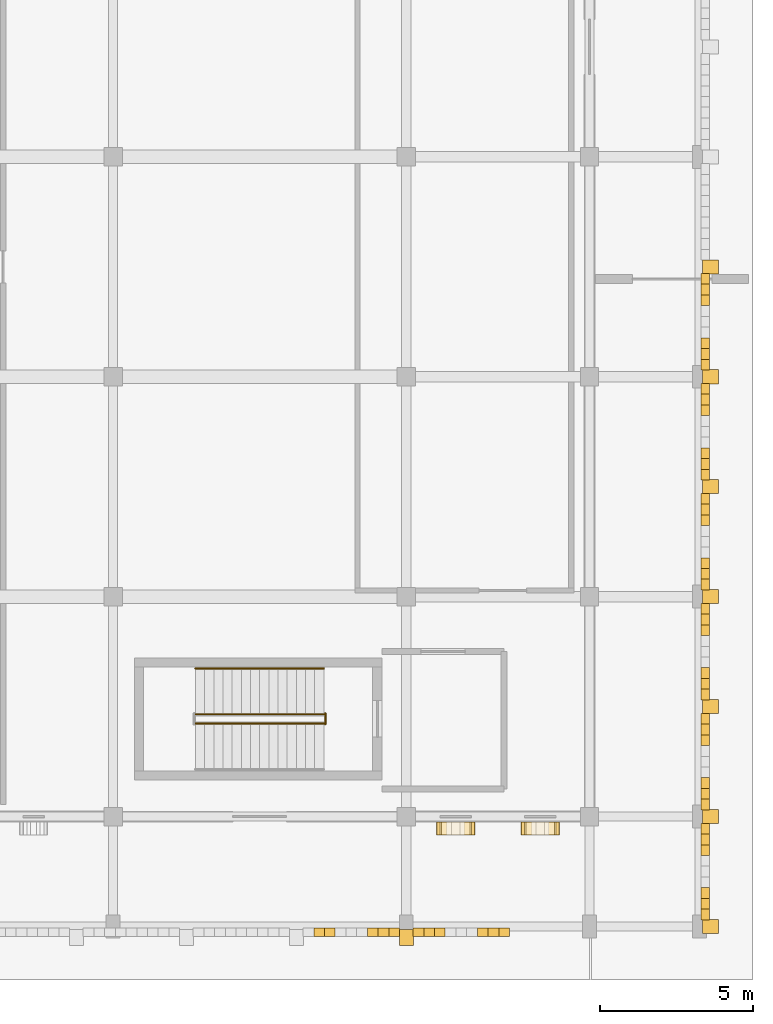
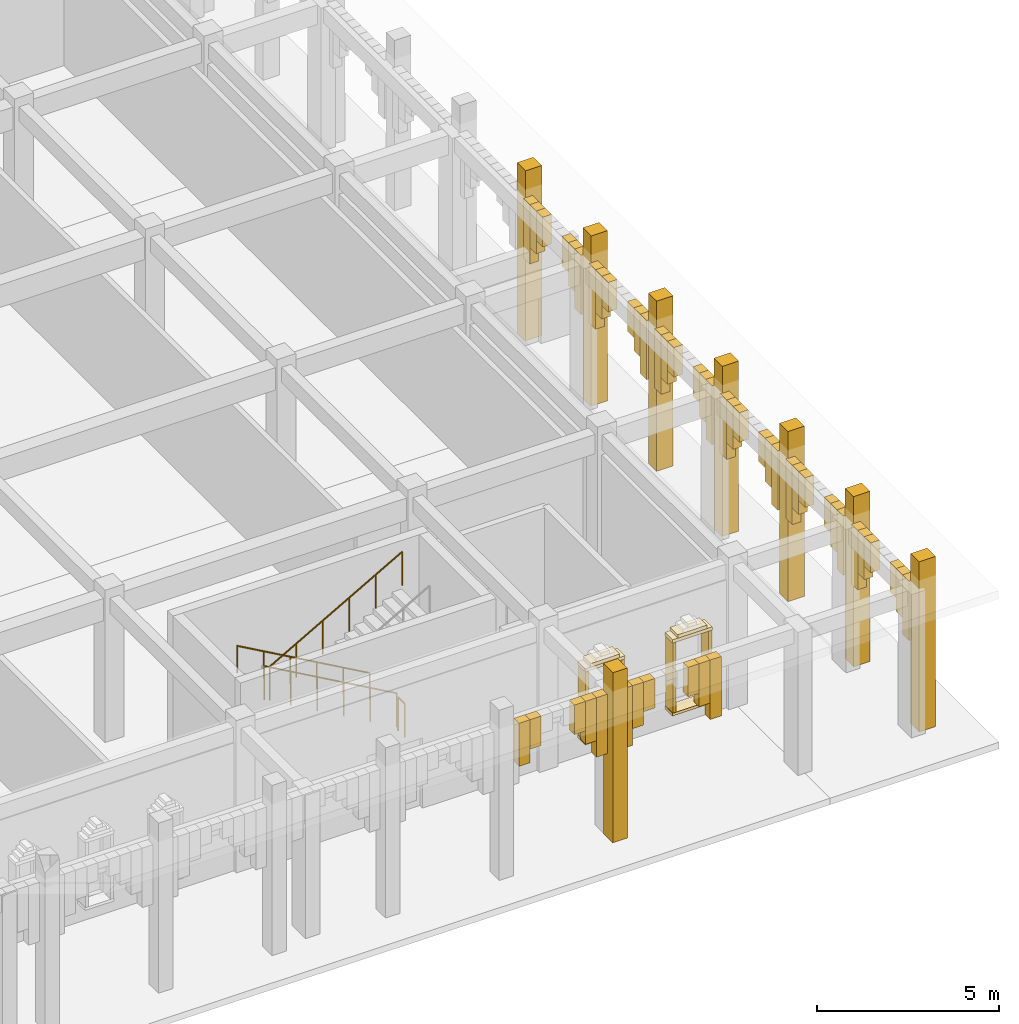
# One storey, part 59 of 72: 65 coverings, 4 railings.
"""IFC4 building model written with IfcOpenShell, lengths in metres."""

from ifc_helpers import new_model, si_unit, direction, frame, origin, origin_2d, place, context, subcontext, project, spatial, rectangle, circle, extrude, material, layer, layer_set, type_object, element, save


model = new_model("IFC4")

# Units and contexts
model_context = context("Model", 3, precision=1e-05, world=origin(), true_north=direction((0.0, 1.0)))
body_context = subcontext(model_context, "Body", "Model", "MODEL_VIEW")
ifc_project = project(units=[si_unit("LENGTHUNIT", "METRE"), si_unit("AREAUNIT", "SQUARE_METRE"), si_unit("VOLUMEUNIT", "CUBIC_METRE"), si_unit("PLANEANGLEUNIT", "RADIAN"), si_unit("MASSUNIT", "GRAM", prefix="KILO")], contexts=[model_context])

# Site, building, storey
site_placement = place(None, origin())
site = spatial("IfcSite", under=ifc_project, at=site_placement, CompositionType="ELEMENT")
building_placement = place(site_placement, origin())
building = spatial("IfcBuilding", under=site, at=building_placement, Name="Nzembalo Square Collegiate School", CompositionType="ELEMENT")
storey_placement = place(building_placement, origin())
storey = spatial("IfcBuildingStorey", under=building, at=storey_placement, Name="L00", CompositionType="ELEMENT", Elevation=0.0)

# Coverings
ifc_material_1 = material(Name="Precast concrete C40/50 arch voussoir", Category="concrete")
ifc_layer_1 = layer(ifc_material_1, 0.1201171875, Name="Precast concrete C40/50 arch voussoir")
ifc_layer_set_1 = layer_set([ifc_layer_1], Name="Precast concrete C40/50 arch voussoir")
covering_type_1 = type_object("IfcCoveringType", Name="AR01", PredefinedType="CLADDING", material=ifc_layer_set_1)
covering_1_placement = place(storey_placement, frame((156.74658203125, 4.6201171875, 3.361083984375), z_axis=(0.0, 0.0, 1.0), x_axis=(1.0, 0.0, 0.0)))
element("IfcCovering", 1, at=covering_1_placement, inside=storey, type_object=covering_type_1, Name="Gothic pointed arch voussoir AR01-074-1", PredefinedType="CLADDING", context=body_context, shape_type="SweptSolid", body=[
    extrude(rectangle(XDim=0.35107421875, YDim=0.280029296875, at=origin_2d()), origin(), (0.0, 0.0, 1.0), 1.43896484375),
])
for number, where, z_axis, x_axis, name in (
    (2, (157.09765625, 4.6201171875, 3.810546875), (0.0, 0.0, 1.0), (1.0, 0.0, 0.0), "Gothic pointed arch voussoir AR01-074-2"),
    (3, (158.502197265625, 4.6201171875, 3.810546875), (0.0, 0.0, 1.0), (1.0, 0.0, 0.0), "Gothic pointed arch voussoir AR01-074-6"),
):
    element("IfcCovering", number, at=place(storey_placement, frame(where, z_axis=z_axis, x_axis=x_axis)), inside=storey, type_object=covering_type_1, Name=name, PredefinedType="CLADDING", context=body_context, shape_type="SweptSolid", body=[
        extrude(rectangle(XDim=0.35107421875, YDim=0.280029296875, at=origin_2d()), origin(), (0.0, 0.0, 1.0), 0.989501953125),
    ])
covering_2_placement = place(storey_placement, frame((158.853271484375, 4.6201171875, 3.361328125), z_axis=(0.0, 0.0, 1.0), x_axis=(1.0, 0.0, 0.0)))
element("IfcCovering", 4, at=covering_2_placement, inside=storey, type_object=covering_type_1, Name="Gothic pointed arch voussoir AR01-074-7", PredefinedType="CLADDING", context=body_context, shape_type="SweptSolid", body=[
    extrude(rectangle(XDim=0.35107421875, YDim=0.280029296875, at=origin_2d()), origin(), (0.0, 0.0, 1.0), 1.438720703125),
])
covering_3_placement = place(storey_placement, frame((159.204345703125, 4.6201171875, 2.80859375), z_axis=(0.0, 0.0, 1.0), x_axis=(1.0, 0.0, 0.0)))
element("IfcCovering", 5, at=covering_3_placement, inside=storey, type_object=covering_type_1, Name="Gothic pointed arch voussoir AR01-074-8", PredefinedType="CLADDING", context=body_context, shape_type="SweptSolid", body=[
    extrude(rectangle(XDim=0.35107421875, YDim=0.280029296875, at=origin_2d()), origin(), (0.0, 0.0, 1.0), 1.991455078125),
])
covering_4_placement = place(storey_placement, frame((159.99560546875, 4.6201171875, 2.808349609375), z_axis=(0.0, 0.0, 1.0), x_axis=(1.0, 0.0, 0.0)))
element("IfcCovering", 6, at=covering_4_placement, inside=storey, type_object=covering_type_1, Name="Gothic pointed arch voussoir AR01-075-0", PredefinedType="CLADDING", context=body_context, shape_type="SweptSolid", body=[
    extrude(rectangle(XDim=0.35107421875, YDim=0.280029296875, at=origin_2d()), origin(), (0.0, 0.0, 1.0), 1.99169921875),
])
covering_5_placement = place(storey_placement, frame((160.3466796875, 4.6201171875, 3.361083984375), z_axis=(0.0, 0.0, 1.0), x_axis=(1.0, 0.0, 0.0)))
element("IfcCovering", 7, at=covering_5_placement, inside=storey, type_object=covering_type_1, Name="Gothic pointed arch voussoir AR01-075-1", PredefinedType="CLADDING", context=body_context, shape_type="SweptSolid", body=[
    extrude(rectangle(XDim=0.35107421875, YDim=0.280029296875, at=origin_2d()), origin(), (0.0, 0.0, 1.0), 1.43896484375),
])
for number, where, z_axis, x_axis, name in (
    (8, (160.69775390625, 4.6201171875, 3.810546875), (0.0, 0.0, 1.0), (1.0, 0.0, 0.0), "Gothic pointed arch voussoir AR01-075-2"),
    (9, (162.10205078125, 4.6201171875, 3.810546875), (0.0, 0.0, 1.0), (1.0, 0.0, 0.0), "Gothic pointed arch voussoir AR01-075-6"),
):
    element("IfcCovering", number, at=place(storey_placement, frame(where, z_axis=z_axis, x_axis=x_axis)), inside=storey, type_object=covering_type_1, Name=name, PredefinedType="CLADDING", context=body_context, shape_type="SweptSolid", body=[
        extrude(rectangle(XDim=0.35107421875, YDim=0.280029296875, at=origin_2d()), origin(), (0.0, 0.0, 1.0), 0.989501953125),
    ])
covering_6_placement = place(storey_placement, frame((162.453125, 4.6201171875, 3.361328125), z_axis=(0.0, 0.0, 1.0), x_axis=(1.0, 0.0, 0.0)))
element("IfcCovering", 10, at=covering_6_placement, inside=storey, type_object=covering_type_1, Name="Gothic pointed arch voussoir AR01-075-7", PredefinedType="CLADDING", context=body_context, shape_type="SweptSolid", body=[
    extrude(rectangle(XDim=0.35107421875, YDim=0.280029296875, at=origin_2d()), origin(), (0.0, 0.0, 1.0), 1.438720703125),
])
covering_7_placement = place(storey_placement, frame((162.80419921875, 4.6201171875, 2.80859375), z_axis=(0.0, 0.0, 1.0), x_axis=(1.0, 0.0, 0.0)))
element("IfcCovering", 11, at=covering_7_placement, inside=storey, type_object=covering_type_1, Name="Gothic pointed arch voussoir AR01-075-8", PredefinedType="CLADDING", context=body_context, shape_type="SweptSolid", body=[
    extrude(rectangle(XDim=0.35107421875, YDim=0.280029296875, at=origin_2d()), origin(), (0.0, 0.0, 1.0), 1.991455078125),
])
covering_8_placement = place(storey_placement, frame((159.60009765625, 4.43994140625, 0.0), z_axis=(0.0, 0.0, 1.0), x_axis=(1.0, 0.0, 0.0)))
element("IfcCovering", 12, at=covering_8_placement, inside=storey, type_object=covering_type_1, Name="Gothic arcade buttress pinnacle AR01-B075", PredefinedType="CLADDING", context=body_context, shape_type="SweptSolid", body=[
    extrude(rectangle(XDim=0.4599609375, YDim=0.52001953125, at=origin_2d()), origin(), (0.0, 0.0, 1.0), 5.699951171875),
])
covering_9_placement = place(storey_placement, frame((169.3798828125, 5.195556640625, 2.808349609375), z_axis=(0.0, 0.0, 1.0), x_axis=(1.0, 0.0, 0.0)))
element("IfcCovering", 13, at=covering_9_placement, inside=storey, type_object=covering_type_1, Name="Gothic pointed arch voussoir AR01-076-0", PredefinedType="CLADDING", context=body_context, shape_type="SweptSolid", body=[
    extrude(rectangle(XDim=0.280029296875, YDim=0.35107421875, at=origin_2d()), origin(), (0.0, 0.0, 1.0), 1.99169921875),
])
covering_10_placement = place(storey_placement, frame((169.3798828125, 5.546630859375, 3.361083984375), z_axis=(0.0, 0.0, 1.0), x_axis=(1.0, 0.0, 0.0)))
element("IfcCovering", 14, at=covering_10_placement, inside=storey, type_object=covering_type_1, Name="Gothic pointed arch voussoir AR01-076-1", PredefinedType="CLADDING", context=body_context, shape_type="SweptSolid", body=[
    extrude(rectangle(XDim=0.280029296875, YDim=0.35107421875, at=origin_2d()), origin(), (0.0, 0.0, 1.0), 1.43896484375),
])
for number, where, z_axis, x_axis, name in (
    (15, (169.3798828125, 5.897705078125, 3.810546875), (0.0, 0.0, 1.0), (1.0, 0.0, 0.0), "Gothic pointed arch voussoir AR01-076-2"),
    (16, (169.3798828125, 7.302001953125, 3.810546875), (0.0, 0.0, 1.0), (1.0, 0.0, 0.0), "Gothic pointed arch voussoir AR01-076-6"),
):
    element("IfcCovering", number, at=place(storey_placement, frame(where, z_axis=z_axis, x_axis=x_axis)), inside=storey, type_object=covering_type_1, Name=name, PredefinedType="CLADDING", context=body_context, shape_type="SweptSolid", body=[
        extrude(rectangle(XDim=0.280029296875, YDim=0.35107421875, at=origin_2d()), origin(), (0.0, 0.0, 1.0), 0.989501953125),
    ])
covering_11_placement = place(storey_placement, frame((169.3798828125, 7.6533203125, 3.361328125), z_axis=(0.0, 0.0, 1.0), x_axis=(1.0, 0.0, 0.0)))
element("IfcCovering", 17, at=covering_11_placement, inside=storey, type_object=covering_type_1, Name="Gothic pointed arch voussoir AR01-076-7", PredefinedType="CLADDING", context=body_context, shape_type="SweptSolid", body=[
    extrude(rectangle(XDim=0.280029296875, YDim=0.35107421875, at=origin_2d()), origin(), (0.0, 0.0, 1.0), 1.438720703125),
])
covering_12_placement = place(storey_placement, frame((169.3798828125, 8.00439453125, 2.80859375), z_axis=(0.0, 0.0, 1.0), x_axis=(1.0, 0.0, 0.0)))
element("IfcCovering", 18, at=covering_12_placement, inside=storey, type_object=covering_type_1, Name="Gothic pointed arch voussoir AR01-076-8", PredefinedType="CLADDING", context=body_context, shape_type="SweptSolid", body=[
    extrude(rectangle(XDim=0.280029296875, YDim=0.35107421875, at=origin_2d()), origin(), (0.0, 0.0, 1.0), 1.991455078125),
])
covering_13_placement = place(storey_placement, frame((169.56005859375, 4.800048828125, 0.0), z_axis=(0.0, 0.0, 1.0), x_axis=(1.0, 0.0, 0.0)))
element("IfcCovering", 19, at=covering_13_placement, inside=storey, type_object=covering_type_1, Name="Gothic arcade buttress pinnacle AR01-B076", PredefinedType="CLADDING", context=body_context, shape_type="SweptSolid", body=[
    extrude(rectangle(XDim=0.52001953125, YDim=0.4599609375, at=origin_2d()), origin(), (0.0, 0.0, 1.0), 5.699951171875),
])
covering_14_placement = place(storey_placement, frame((169.3798828125, 8.79541015625, 2.808349609375), z_axis=(0.0, 0.0, 1.0), x_axis=(1.0, 0.0, 0.0)))
element("IfcCovering", 20, at=covering_14_placement, inside=storey, type_object=covering_type_1, Name="Gothic pointed arch voussoir AR01-077-0", PredefinedType="CLADDING", context=body_context, shape_type="SweptSolid", body=[
    extrude(rectangle(XDim=0.280029296875, YDim=0.35107421875, at=origin_2d()), origin(), (0.0, 0.0, 1.0), 1.99169921875),
])
covering_15_placement = place(storey_placement, frame((169.3798828125, 9.146484375, 3.361083984375), z_axis=(0.0, 0.0, 1.0), x_axis=(1.0, 0.0, 0.0)))
element("IfcCovering", 21, at=covering_15_placement, inside=storey, type_object=covering_type_1, Name="Gothic pointed arch voussoir AR01-077-1", PredefinedType="CLADDING", context=body_context, shape_type="SweptSolid", body=[
    extrude(rectangle(XDim=0.280029296875, YDim=0.35107421875, at=origin_2d()), origin(), (0.0, 0.0, 1.0), 1.43896484375),
])
for number, where, z_axis, x_axis, name in (
    (22, (169.3798828125, 9.497802734375, 3.810546875), (0.0, 0.0, 1.0), (1.0, 0.0, 0.0), "Gothic pointed arch voussoir AR01-077-2"),
    (23, (169.3798828125, 10.902099609375, 3.810546875), (0.0, 0.0, 1.0), (1.0, 0.0, 0.0), "Gothic pointed arch voussoir AR01-077-6"),
):
    element("IfcCovering", number, at=place(storey_placement, frame(where, z_axis=z_axis, x_axis=x_axis)), inside=storey, type_object=covering_type_1, Name=name, PredefinedType="CLADDING", context=body_context, shape_type="SweptSolid", body=[
        extrude(rectangle(XDim=0.280029296875, YDim=0.35107421875, at=origin_2d()), origin(), (0.0, 0.0, 1.0), 0.989501953125),
    ])
covering_16_placement = place(storey_placement, frame((169.3798828125, 11.253173828125, 3.361328125), z_axis=(0.0, 0.0, 1.0), x_axis=(1.0, 0.0, 0.0)))
element("IfcCovering", 24, at=covering_16_placement, inside=storey, type_object=covering_type_1, Name="Gothic pointed arch voussoir AR01-077-7", PredefinedType="CLADDING", context=body_context, shape_type="SweptSolid", body=[
    extrude(rectangle(XDim=0.280029296875, YDim=0.35107421875, at=origin_2d()), origin(), (0.0, 0.0, 1.0), 1.438720703125),
])
covering_17_placement = place(storey_placement, frame((169.3798828125, 11.6044921875, 2.80859375), z_axis=(0.0, 0.0, 1.0), x_axis=(1.0, 0.0, 0.0)))
element("IfcCovering", 25, at=covering_17_placement, inside=storey, type_object=covering_type_1, Name="Gothic pointed arch voussoir AR01-077-8", PredefinedType="CLADDING", context=body_context, shape_type="SweptSolid", body=[
    extrude(rectangle(XDim=0.280029296875, YDim=0.35107421875, at=origin_2d()), origin(), (0.0, 0.0, 1.0), 1.991455078125),
])
covering_18_placement = place(storey_placement, frame((169.56005859375, 8.39990234375, 0.0), z_axis=(0.0, 0.0, 1.0), x_axis=(1.0, 0.0, 0.0)))
element("IfcCovering", 26, at=covering_18_placement, inside=storey, type_object=covering_type_1, Name="Gothic arcade buttress pinnacle AR01-B077", PredefinedType="CLADDING", context=body_context, shape_type="SweptSolid", body=[
    extrude(rectangle(XDim=0.52001953125, YDim=0.4599609375, at=origin_2d()), origin(), (0.0, 0.0, 1.0), 5.699951171875),
])
covering_19_placement = place(storey_placement, frame((169.3798828125, 12.3955078125, 2.808349609375), z_axis=(0.0, 0.0, 1.0), x_axis=(1.0, 0.0, 0.0)))
element("IfcCovering", 27, at=covering_19_placement, inside=storey, type_object=covering_type_1, Name="Gothic pointed arch voussoir AR01-078-0", PredefinedType="CLADDING", context=body_context, shape_type="SweptSolid", body=[
    extrude(rectangle(XDim=0.280029296875, YDim=0.35107421875, at=origin_2d()), origin(), (0.0, 0.0, 1.0), 1.99169921875),
])
covering_20_placement = place(storey_placement, frame((169.3798828125, 12.74658203125, 3.361083984375), z_axis=(0.0, 0.0, 1.0), x_axis=(1.0, 0.0, 0.0)))
element("IfcCovering", 28, at=covering_20_placement, inside=storey, type_object=covering_type_1, Name="Gothic pointed arch voussoir AR01-078-1", PredefinedType="CLADDING", context=body_context, shape_type="SweptSolid", body=[
    extrude(rectangle(XDim=0.280029296875, YDim=0.35107421875, at=origin_2d()), origin(), (0.0, 0.0, 1.0), 1.43896484375),
])
for number, where, z_axis, x_axis, name in (
    (29, (169.3798828125, 13.09765625, 3.810546875), (0.0, 0.0, 1.0), (1.0, 0.0, 0.0), "Gothic pointed arch voussoir AR01-078-2"),
    (30, (169.3798828125, 14.502197265625, 3.810546875), (0.0, 0.0, 1.0), (1.0, 0.0, 0.0), "Gothic pointed arch voussoir AR01-078-6"),
):
    element("IfcCovering", number, at=place(storey_placement, frame(where, z_axis=z_axis, x_axis=x_axis)), inside=storey, type_object=covering_type_1, Name=name, PredefinedType="CLADDING", context=body_context, shape_type="SweptSolid", body=[
        extrude(rectangle(XDim=0.280029296875, YDim=0.35107421875, at=origin_2d()), origin(), (0.0, 0.0, 1.0), 0.989501953125),
    ])
covering_21_placement = place(storey_placement, frame((169.3798828125, 14.853271484375, 3.361328125), z_axis=(0.0, 0.0, 1.0), x_axis=(1.0, 0.0, 0.0)))
element("IfcCovering", 31, at=covering_21_placement, inside=storey, type_object=covering_type_1, Name="Gothic pointed arch voussoir AR01-078-7", PredefinedType="CLADDING", context=body_context, shape_type="SweptSolid", body=[
    extrude(rectangle(XDim=0.280029296875, YDim=0.35107421875, at=origin_2d()), origin(), (0.0, 0.0, 1.0), 1.438720703125),
])
covering_22_placement = place(storey_placement, frame((169.3798828125, 15.204345703125, 2.80859375), z_axis=(0.0, 0.0, 1.0), x_axis=(1.0, 0.0, 0.0)))
element("IfcCovering", 32, at=covering_22_placement, inside=storey, type_object=covering_type_1, Name="Gothic pointed arch voussoir AR01-078-8", PredefinedType="CLADDING", context=body_context, shape_type="SweptSolid", body=[
    extrude(rectangle(XDim=0.280029296875, YDim=0.35107421875, at=origin_2d()), origin(), (0.0, 0.0, 1.0), 1.991455078125),
])
covering_23_placement = place(storey_placement, frame((169.56005859375, 12.0, 0.0), z_axis=(0.0, 0.0, 1.0), x_axis=(1.0, 0.0, 0.0)))
element("IfcCovering", 33, at=covering_23_placement, inside=storey, type_object=covering_type_1, Name="Gothic arcade buttress pinnacle AR01-B078", PredefinedType="CLADDING", context=body_context, shape_type="SweptSolid", body=[
    extrude(rectangle(XDim=0.52001953125, YDim=0.4599609375, at=origin_2d()), origin(), (0.0, 0.0, 1.0), 5.699951171875),
])
covering_24_placement = place(storey_placement, frame((169.3798828125, 15.99560546875, 2.808349609375), z_axis=(0.0, 0.0, 1.0), x_axis=(1.0, 0.0, 0.0)))
element("IfcCovering", 34, at=covering_24_placement, inside=storey, type_object=covering_type_1, Name="Gothic pointed arch voussoir AR01-079-0", PredefinedType="CLADDING", context=body_context, shape_type="SweptSolid", body=[
    extrude(rectangle(XDim=0.280029296875, YDim=0.35107421875, at=origin_2d()), origin(), (0.0, 0.0, 1.0), 1.99169921875),
])
covering_25_placement = place(storey_placement, frame((169.3798828125, 16.3466796875, 3.361083984375), z_axis=(0.0, 0.0, 1.0), x_axis=(1.0, 0.0, 0.0)))
element("IfcCovering", 35, at=covering_25_placement, inside=storey, type_object=covering_type_1, Name="Gothic pointed arch voussoir AR01-079-1", PredefinedType="CLADDING", context=body_context, shape_type="SweptSolid", body=[
    extrude(rectangle(XDim=0.280029296875, YDim=0.35107421875, at=origin_2d()), origin(), (0.0, 0.0, 1.0), 1.43896484375),
])
for number, where, z_axis, x_axis, name in (
    (36, (169.3798828125, 16.69775390625, 3.810546875), (0.0, 0.0, 1.0), (1.0, 0.0, 0.0), "Gothic pointed arch voussoir AR01-079-2"),
    (37, (169.3798828125, 18.10205078125, 3.810546875), (0.0, 0.0, 1.0), (1.0, 0.0, 0.0), "Gothic pointed arch voussoir AR01-079-6"),
):
    element("IfcCovering", number, at=place(storey_placement, frame(where, z_axis=z_axis, x_axis=x_axis)), inside=storey, type_object=covering_type_1, Name=name, PredefinedType="CLADDING", context=body_context, shape_type="SweptSolid", body=[
        extrude(rectangle(XDim=0.280029296875, YDim=0.35107421875, at=origin_2d()), origin(), (0.0, 0.0, 1.0), 0.989501953125),
    ])
covering_26_placement = place(storey_placement, frame((169.3798828125, 18.453125, 3.361328125), z_axis=(0.0, 0.0, 1.0), x_axis=(1.0, 0.0, 0.0)))
element("IfcCovering", 38, at=covering_26_placement, inside=storey, type_object=covering_type_1, Name="Gothic pointed arch voussoir AR01-079-7", PredefinedType="CLADDING", context=body_context, shape_type="SweptSolid", body=[
    extrude(rectangle(XDim=0.280029296875, YDim=0.35107421875, at=origin_2d()), origin(), (0.0, 0.0, 1.0), 1.438720703125),
])
covering_27_placement = place(storey_placement, frame((169.3798828125, 18.80419921875, 2.80859375), z_axis=(0.0, 0.0, 1.0), x_axis=(1.0, 0.0, 0.0)))
element("IfcCovering", 39, at=covering_27_placement, inside=storey, type_object=covering_type_1, Name="Gothic pointed arch voussoir AR01-079-8", PredefinedType="CLADDING", context=body_context, shape_type="SweptSolid", body=[
    extrude(rectangle(XDim=0.280029296875, YDim=0.35107421875, at=origin_2d()), origin(), (0.0, 0.0, 1.0), 1.991455078125),
])
covering_28_placement = place(storey_placement, frame((169.56005859375, 15.60009765625, 0.0), z_axis=(0.0, 0.0, 1.0), x_axis=(1.0, 0.0, 0.0)))
element("IfcCovering", 40, at=covering_28_placement, inside=storey, type_object=covering_type_1, Name="Gothic arcade buttress pinnacle AR01-B079", PredefinedType="CLADDING", context=body_context, shape_type="SweptSolid", body=[
    extrude(rectangle(XDim=0.52001953125, YDim=0.4599609375, at=origin_2d()), origin(), (0.0, 0.0, 1.0), 5.699951171875),
])
covering_29_placement = place(storey_placement, frame((169.3798828125, 19.595458984375, 2.808349609375), z_axis=(0.0, 0.0, 1.0), x_axis=(1.0, 0.0, 0.0)))
element("IfcCovering", 41, at=covering_29_placement, inside=storey, type_object=covering_type_1, Name="Gothic pointed arch voussoir AR01-080-0", PredefinedType="CLADDING", context=body_context, shape_type="SweptSolid", body=[
    extrude(rectangle(XDim=0.280029296875, YDim=0.35107421875, at=origin_2d()), origin(), (0.0, 0.0, 1.0), 1.99169921875),
])
covering_30_placement = place(storey_placement, frame((169.3798828125, 19.946533203125, 3.361083984375), z_axis=(0.0, 0.0, 1.0), x_axis=(1.0, 0.0, 0.0)))
element("IfcCovering", 42, at=covering_30_placement, inside=storey, type_object=covering_type_1, Name="Gothic pointed arch voussoir AR01-080-1", PredefinedType="CLADDING", context=body_context, shape_type="SweptSolid", body=[
    extrude(rectangle(XDim=0.280029296875, YDim=0.35107421875, at=origin_2d()), origin(), (0.0, 0.0, 1.0), 1.43896484375),
])
for number, where, z_axis, x_axis, name in (
    (43, (169.3798828125, 20.2978515625, 3.810546875), (0.0, 0.0, 1.0), (1.0, 0.0, 0.0), "Gothic pointed arch voussoir AR01-080-2"),
    (44, (169.3798828125, 21.7021484375, 3.810546875), (0.0, 0.0, 1.0), (1.0, 0.0, 0.0), "Gothic pointed arch voussoir AR01-080-6"),
):
    element("IfcCovering", number, at=place(storey_placement, frame(where, z_axis=z_axis, x_axis=x_axis)), inside=storey, type_object=covering_type_1, Name=name, PredefinedType="CLADDING", context=body_context, shape_type="SweptSolid", body=[
        extrude(rectangle(XDim=0.280029296875, YDim=0.35107421875, at=origin_2d()), origin(), (0.0, 0.0, 1.0), 0.989501953125),
    ])
covering_31_placement = place(storey_placement, frame((169.3798828125, 22.05322265625, 3.361328125), z_axis=(0.0, 0.0, 1.0), x_axis=(1.0, 0.0, 0.0)))
element("IfcCovering", 45, at=covering_31_placement, inside=storey, type_object=covering_type_1, Name="Gothic pointed arch voussoir AR01-080-7", PredefinedType="CLADDING", context=body_context, shape_type="SweptSolid", body=[
    extrude(rectangle(XDim=0.280029296875, YDim=0.35107421875, at=origin_2d()), origin(), (0.0, 0.0, 1.0), 1.438720703125),
])
covering_32_placement = place(storey_placement, frame((169.3798828125, 22.404296875, 2.80859375), z_axis=(0.0, 0.0, 1.0), x_axis=(1.0, 0.0, 0.0)))
element("IfcCovering", 46, at=covering_32_placement, inside=storey, type_object=covering_type_1, Name="Gothic pointed arch voussoir AR01-080-8", PredefinedType="CLADDING", context=body_context, shape_type="SweptSolid", body=[
    extrude(rectangle(XDim=0.280029296875, YDim=0.35107421875, at=origin_2d()), origin(), (0.0, 0.0, 1.0), 1.991455078125),
])
covering_33_placement = place(storey_placement, frame((169.56005859375, 19.199951171875, 0.0), z_axis=(0.0, 0.0, 1.0), x_axis=(1.0, 0.0, 0.0)))
element("IfcCovering", 47, at=covering_33_placement, inside=storey, type_object=covering_type_1, Name="Gothic arcade buttress pinnacle AR01-B080", PredefinedType="CLADDING", context=body_context, shape_type="SweptSolid", body=[
    extrude(rectangle(XDim=0.52001953125, YDim=0.4599609375, at=origin_2d()), origin(), (0.0, 0.0, 1.0), 5.699951171875),
])
covering_34_placement = place(storey_placement, frame((169.3798828125, 23.195556640625, 2.808349609375), z_axis=(0.0, 0.0, 1.0), x_axis=(1.0, 0.0, 0.0)))
element("IfcCovering", 48, at=covering_34_placement, inside=storey, type_object=covering_type_1, Name="Gothic pointed arch voussoir AR01-081-0", PredefinedType="CLADDING", context=body_context, shape_type="SweptSolid", body=[
    extrude(rectangle(XDim=0.280029296875, YDim=0.35107421875, at=origin_2d()), origin(), (0.0, 0.0, 1.0), 1.99169921875),
])
covering_35_placement = place(storey_placement, frame((169.3798828125, 23.546630859375, 3.361083984375), z_axis=(0.0, 0.0, 1.0), x_axis=(1.0, 0.0, 0.0)))
element("IfcCovering", 49, at=covering_35_placement, inside=storey, type_object=covering_type_1, Name="Gothic pointed arch voussoir AR01-081-1", PredefinedType="CLADDING", context=body_context, shape_type="SweptSolid", body=[
    extrude(rectangle(XDim=0.280029296875, YDim=0.35107421875, at=origin_2d()), origin(), (0.0, 0.0, 1.0), 1.43896484375),
])
for number, where, z_axis, x_axis, name in (
    (50, (169.3798828125, 23.897705078125, 3.810546875), (0.0, 0.0, 1.0), (1.0, 0.0, 0.0), "Gothic pointed arch voussoir AR01-081-2"),
    (51, (169.3798828125, 25.30224609375, 3.810546875), (0.0, 0.0, 1.0), (1.0, 0.0, 0.0), "Gothic pointed arch voussoir AR01-081-6"),
):
    element("IfcCovering", number, at=place(storey_placement, frame(where, z_axis=z_axis, x_axis=x_axis)), inside=storey, type_object=covering_type_1, Name=name, PredefinedType="CLADDING", context=body_context, shape_type="SweptSolid", body=[
        extrude(rectangle(XDim=0.280029296875, YDim=0.35107421875, at=origin_2d()), origin(), (0.0, 0.0, 1.0), 0.989501953125),
    ])
covering_36_placement = place(storey_placement, frame((169.3798828125, 25.6533203125, 3.361328125), z_axis=(0.0, 0.0, 1.0), x_axis=(1.0, 0.0, 0.0)))
element("IfcCovering", 52, at=covering_36_placement, inside=storey, type_object=covering_type_1, Name="Gothic pointed arch voussoir AR01-081-7", PredefinedType="CLADDING", context=body_context, shape_type="SweptSolid", body=[
    extrude(rectangle(XDim=0.280029296875, YDim=0.35107421875, at=origin_2d()), origin(), (0.0, 0.0, 1.0), 1.438720703125),
])
covering_37_placement = place(storey_placement, frame((169.3798828125, 26.00439453125, 2.80859375), z_axis=(0.0, 0.0, 1.0), x_axis=(1.0, 0.0, 0.0)))
element("IfcCovering", 53, at=covering_37_placement, inside=storey, type_object=covering_type_1, Name="Gothic pointed arch voussoir AR01-081-8", PredefinedType="CLADDING", context=body_context, shape_type="SweptSolid", body=[
    extrude(rectangle(XDim=0.280029296875, YDim=0.35107421875, at=origin_2d()), origin(), (0.0, 0.0, 1.0), 1.991455078125),
])
for number, where, z_axis, x_axis, name in (
    (54, (169.56005859375, 22.800048828125, 0.0), (0.0, 0.0, 1.0), (1.0, 0.0, 0.0), "Gothic arcade buttress pinnacle AR01-B081"),
    (55, (169.56005859375, 26.39990234375, 0.0), (0.0, 0.0, 1.0), (1.0, 0.0, 0.0), "Gothic arcade buttress pinnacle AR01-B082"),
):
    element("IfcCovering", number, at=place(storey_placement, frame(where, z_axis=z_axis, x_axis=x_axis)), inside=storey, type_object=covering_type_1, Name=name, PredefinedType="CLADDING", context=body_context, shape_type="SweptSolid", body=[
        extrude(rectangle(XDim=0.52001953125, YDim=0.4599609375, at=origin_2d()), origin(), (0.0, 0.0, 1.0), 5.699951171875),
    ])
ifc_material_2 = material(Name="Glazed celadon ceramic window frame")
ifc_layer_2 = layer(ifc_material_2, 0.419921875, Name="Glazed celadon ceramic window frame")
ifc_layer_set_2 = layer_set([ifc_layer_2], Name="Glazed celadon ceramic window frame")
covering_type_2 = type_object("IfcCoveringType", Name="WF01", PredefinedType="CLADDING", material=ifc_layer_set_2)
covering_38_placement = place(storey_placement, frame((161.216064453125, 8.014892578125, 3.0947265625), z_axis=(0.0, 0.0, 1.0), x_axis=(1.0, 0.0, 0.0)))
element("IfcCovering", 56, at=covering_38_placement, inside=storey, type_object=covering_type_2, Name="Deep lancet window hood WF01-0061", PredefinedType="CLADDING", context=body_context, shape_type="SweptSolid", body=[
    extrude(rectangle(XDim=1.260009765625, YDim=0.419921875, at=origin_2d()), origin(), (0.0, 0.0, 1.0), 0.110107421875),
])
covering_39_placement = place(storey_placement, frame((161.216064453125, 8.014892578125, 3.199951171875), z_axis=(0.0, 0.0, 1.0), x_axis=(1.0, 0.0, 0.0)))
element("IfcCovering", 57, at=covering_39_placement, inside=storey, type_object=covering_type_2, Name="Pointed lancet gable WF01-0061-1", PredefinedType="CLADDING", context=body_context, shape_type="SweptSolid", body=[
    extrude(rectangle(XDim=0.927001953125, YDim=0.419921875, at=origin_2d()), origin(), (0.0, 0.0, 1.0), 0.1201171875),
])
covering_40_placement = place(storey_placement, frame((161.216064453125, 8.014892578125, 0.65478515625), z_axis=(0.0, 0.0, 1.0), x_axis=(1.0, 0.0, 0.0)))
element("IfcCovering", 58, at=covering_40_placement, inside=storey, type_object=covering_type_2, Name="Deep lancet window sill WF01-0061", PredefinedType="CLADDING", context=body_context, shape_type="SweptSolid", body=[
    extrude(rectangle(XDim=1.260009765625, YDim=0.419921875, at=origin_2d()), origin(), (0.0, 0.0, 1.0), 0.090087890625),
])
for number, where, z_axis, x_axis, name in (
    (59, (160.65087890625, 8.014892578125, 0.75), (0.0, 0.0, 1.0), (1.0, 0.0, 0.0), "Deep lancet window jamb WF01-0061L"),
    (60, (161.781005859375, 8.014892578125, 0.75), (0.0, 0.0, 1.0), (1.0, 0.0, 0.0), "Deep lancet window jamb WF01-0061R"),
):
    element("IfcCovering", number, at=place(storey_placement, frame(where, z_axis=z_axis, x_axis=x_axis)), inside=storey, type_object=covering_type_2, Name=name, PredefinedType="CLADDING", context=body_context, shape_type="SweptSolid", body=[
        extrude(rectangle(XDim=0.10009765625, YDim=0.419921875, at=origin_2d()), origin(), (0.0, 0.0, 1.0), 2.340087890625),
    ])
covering_41_placement = place(storey_placement, frame((163.98388671875, 8.014892578125, 3.0947265625), z_axis=(0.0, 0.0, 1.0), x_axis=(1.0, 0.0, 0.0)))
element("IfcCovering", 61, at=covering_41_placement, inside=storey, type_object=covering_type_2, Name="Deep lancet window hood WF01-0062", PredefinedType="CLADDING", context=body_context, shape_type="SweptSolid", body=[
    extrude(rectangle(XDim=1.260009765625, YDim=0.419921875, at=origin_2d()), origin(), (0.0, 0.0, 1.0), 0.110107421875),
])
covering_42_placement = place(storey_placement, frame((163.98388671875, 8.014892578125, 3.199951171875), z_axis=(0.0, 0.0, 1.0), x_axis=(1.0, 0.0, 0.0)))
element("IfcCovering", 62, at=covering_42_placement, inside=storey, type_object=covering_type_2, Name="Pointed lancet gable WF01-0062-1", PredefinedType="CLADDING", context=body_context, shape_type="SweptSolid", body=[
    extrude(rectangle(XDim=0.927001953125, YDim=0.419921875, at=origin_2d()), origin(), (0.0, 0.0, 1.0), 0.1201171875),
])
covering_43_placement = place(storey_placement, frame((163.98388671875, 8.014892578125, 0.65478515625), z_axis=(0.0, 0.0, 1.0), x_axis=(1.0, 0.0, 0.0)))
element("IfcCovering", 63, at=covering_43_placement, inside=storey, type_object=covering_type_2, Name="Deep lancet window sill WF01-0062", PredefinedType="CLADDING", context=body_context, shape_type="SweptSolid", body=[
    extrude(rectangle(XDim=1.260009765625, YDim=0.419921875, at=origin_2d()), origin(), (0.0, 0.0, 1.0), 0.090087890625),
])
for number, where, z_axis, x_axis, name in (
    (64, (163.4189453125, 8.014892578125, 0.75), (0.0, 0.0, 1.0), (1.0, 0.0, 0.0), "Deep lancet window jamb WF01-0062L"),
    (65, (164.549072265625, 8.014892578125, 0.75), (0.0, 0.0, 1.0), (1.0, 0.0, 0.0), "Deep lancet window jamb WF01-0062R"),
):
    element("IfcCovering", number, at=place(storey_placement, frame(where, z_axis=z_axis, x_axis=x_axis)), inside=storey, type_object=covering_type_2, Name=name, PredefinedType="CLADDING", context=body_context, shape_type="SweptSolid", body=[
        extrude(rectangle(XDim=0.10009765625, YDim=0.419921875, at=origin_2d()), origin(), (0.0, 0.0, 1.0), 2.340087890625),
    ])

# Railings
ifc_material_3 = material(Name="Steel S355", Category="steel")
railing_type_1 = type_object("IfcRailingType", Name="GR01", PredefinedType="GUARDRAIL", material=ifc_material_3)
railing_1_placement = place(storey_placement, frame((156.89990234375, 11.75, 0.159912109375)))
element("IfcRailing", 66, at=railing_1_placement, inside=storey, type_object=railing_type_1, Name="Stair guard GR-24-1", PredefinedType="GUARDRAIL", context=body_context, shape_type="SweptSolid", body=[
    extrude(circle(Radius=0.02392578125, at=origin_2d()), frame((0.0, 0.0, 1.1259765625), z_axis=(-0.870008446991, 0.0, 0.493036816236), x_axis=(0.0, -1.0, 0.0)), (0.0, 0.0, 1.0), 4.827392578125),
    extrude(circle(Radius=0.02099609375, at=origin_2d()), origin(), (0.0, 0.0, 1.0), 1.101806640625),
    extrude(circle(Radius=0.02099609375, at=origin_2d()), frame((-0.840087890625, 0.0, 0.47607421875)), (0.0, 0.0, 1.0), 1.101806640625),
    extrude(circle(Radius=0.02099609375, at=origin_2d()), frame((-1.679931640625, 0.0, 0.9521484375)), (0.0, 0.0, 1.0), 1.101806640625),
    extrude(circle(Radius=0.02099609375, at=origin_2d()), frame((-2.52001953125, 0.0, 1.427978515625)), (0.0, 0.0, 1.0), 1.101806640625),
    extrude(circle(Radius=0.02099609375, at=origin_2d()), frame((-3.35986328125, 0.0, 1.904052734375)), (0.0, 0.0, 1.0), 1.101806640625),
    extrude(circle(Radius=0.02099609375, at=origin_2d()), frame((-4.199951171875, 0.0, 2.380126953125)), (0.0, 0.0, 1.0), 1.101806640625),
])
railing_2_placement = place(storey_placement, frame((152.699951171875, 11.449951171875, 2.7099609375)))
element("IfcRailing", 67, at=railing_2_placement, inside=storey, type_object=railing_type_1, Name="Stair guard GR-24-3", PredefinedType="GUARDRAIL", context=body_context, shape_type="SweptSolid", body=[
    extrude(circle(Radius=0.02392578125, at=origin_2d()), frame((0.0, 0.0, 1.1259765625), z_axis=(0.870008446991, 0.0, 0.493036816236), x_axis=(0.0, 1.0, 0.0)), (0.0, 0.0, 1.0), 4.827392578125),
    extrude(circle(Radius=0.02099609375, at=origin_2d()), origin(), (0.0, 0.0, 1.0), 1.101806640625),
    extrude(circle(Radius=0.02099609375, at=origin_2d()), frame((0.840087890625, 0.0, 0.47607421875)), (0.0, 0.0, 1.0), 1.101806640625),
    extrude(circle(Radius=0.02099609375, at=origin_2d()), frame((1.679931640625, 0.0, 0.9521484375)), (0.0, 0.0, 1.0), 1.101806640625),
    extrude(circle(Radius=0.02099609375, at=origin_2d()), frame((2.52001953125, 0.0, 1.427978515625)), (0.0, 0.0, 1.0), 1.101806640625),
    extrude(circle(Radius=0.02099609375, at=origin_2d()), frame((3.35986328125, 0.0, 1.904052734375)), (0.0, 0.0, 1.0), 1.101806640625),
    extrude(circle(Radius=0.02099609375, at=origin_2d()), frame((4.199951171875, 0.0, 2.380126953125)), (0.0, 0.0, 1.0), 1.101806640625),
])
railing_3_placement = place(storey_placement, frame((156.949951171875, 11.419921875, -0.0048828125)))
element("IfcRailing", 68, at=railing_3_placement, inside=storey, type_object=railing_type_1, Name="Stair guard GR-24-4", PredefinedType="GUARDRAIL", context=body_context, shape_type="SweptSolid", body=[
    extrude(circle(Radius=0.02392578125, at=origin_2d()), frame((0.0, 0.0, 1.1259765625), z_axis=(0.0, 1.0, 0.0), x_axis=(-1.0, 0.0, 0.0)), (0.0, 0.0, 1.0), 0.360107421875),
    extrude(circle(Radius=0.02099609375, at=origin_2d()), origin(), (0.0, 0.0, 1.0), 1.101806640625),
    extrude(circle(Radius=0.02099609375, at=origin_2d()), frame((0.0, 0.360107421875, 0.0)), (0.0, 0.0, 1.0), 1.101806640625),
])
ifc_material_4 = material(Name="Steel S355", Category="steel")
railing_type_2 = type_object("IfcRailingType", Name="HR01", PredefinedType="HANDRAIL", material=ifc_material_4)
railing_4_placement = place(storey_placement, frame((156.89990234375, 13.25, 0.159912109375)))
element("IfcRailing", 69, at=railing_4_placement, inside=storey, type_object=railing_type_2, Name="Stair handrail HR-24-1", PredefinedType="HANDRAIL", context=body_context, shape_type="SweptSolid", body=[
    extrude(circle(Radius=0.02392578125, at=origin_2d()), frame((0.0, 0.0, 0.89599609375), z_axis=(-0.870008446991, 0.0, 0.493036816236), x_axis=(0.0, -1.0, 0.0)), (0.0, 0.0, 1.0), 4.827392578125),
    extrude(circle(Radius=0.02099609375, at=origin_2d()), origin(), (0.0, 0.0, 1.0), 0.871826171875),
    extrude(circle(Radius=0.02099609375, at=origin_2d()), frame((-0.840087890625, 0.0, 0.47607421875)), (0.0, 0.0, 1.0), 0.871826171875),
    extrude(circle(Radius=0.02099609375, at=origin_2d()), frame((-1.679931640625, 0.0, 0.9521484375)), (0.0, 0.0, 1.0), 0.871826171875),
    extrude(circle(Radius=0.02099609375, at=origin_2d()), frame((-2.52001953125, 0.0, 1.427978515625)), (0.0, 0.0, 1.0), 0.871826171875),
    extrude(circle(Radius=0.02099609375, at=origin_2d()), frame((-3.35986328125, 0.0, 1.904052734375)), (0.0, 0.0, 1.0), 0.871826171875),
    extrude(circle(Radius=0.02099609375, at=origin_2d()), frame((-4.199951171875, 0.0, 2.380126953125)), (0.0, 0.0, 1.0), 0.871826171875),
])

save(model, "model.ifc")
